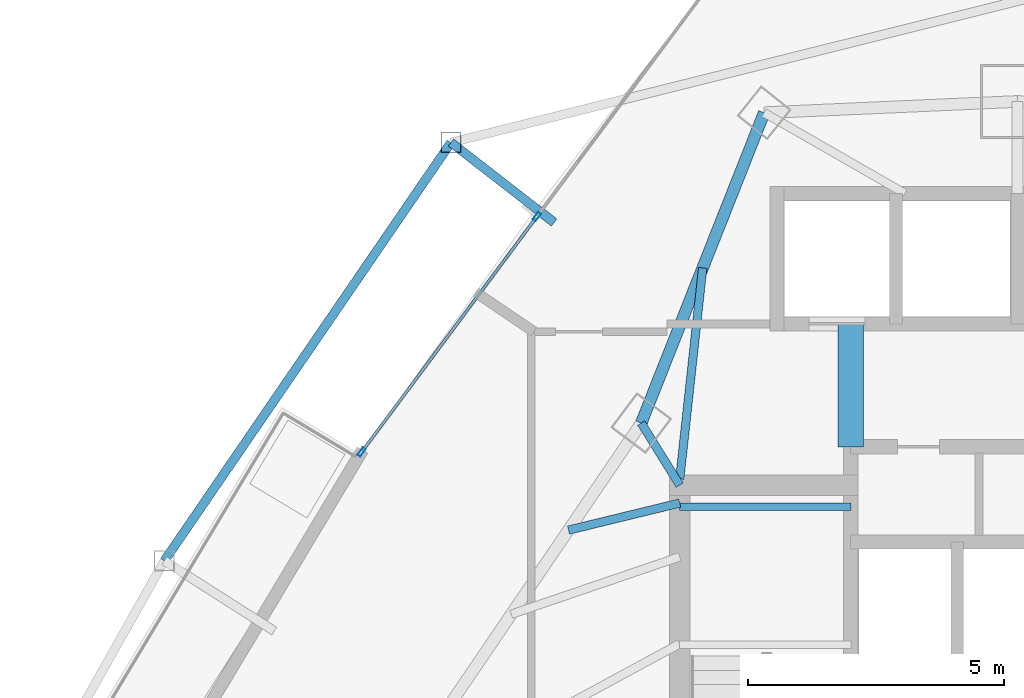
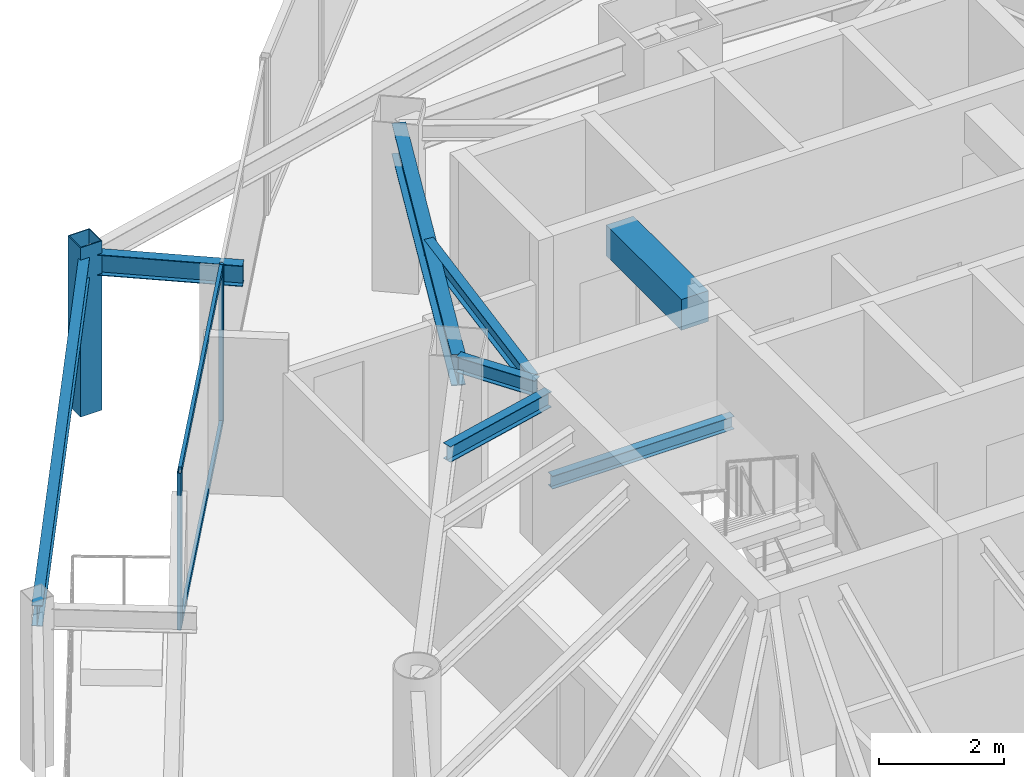
# One storey, part 20 of 33: 8 beams, 5 members, 1 element without a shape of its own.
"""IFC4 building model written with IfcOpenShell, lengths in metres."""

from ifc_helpers import new_model, si_unit, direction, frame, origin, origin_2d, place, context, subcontext, project, spatial, rectangle, hollow_rectangle, i_section, extrude, material, layer, layer_set, material_profile, profile_set, type_object, element, aggregate, save


model = new_model("IFC4")

# Units and contexts
model_context = context("Model", 3, precision=1e-05, world=origin(), true_north=direction((0.0, 1.0)))
body_context = subcontext(model_context, "Body", "Model", "MODEL_VIEW")
ifc_project = project(units=[si_unit("LENGTHUNIT", "METRE"), si_unit("AREAUNIT", "SQUARE_METRE"), si_unit("VOLUMEUNIT", "CUBIC_METRE"), si_unit("PLANEANGLEUNIT", "RADIAN"), si_unit("MASSUNIT", "GRAM", prefix="KILO")], contexts=[model_context])

# Site, building, storey
site_placement = place(None, origin())
site = spatial("IfcSite", under=ifc_project, at=site_placement, CompositionType="ELEMENT")
building_placement = place(site_placement, origin())
building = spatial("IfcBuilding", under=site, at=building_placement, Name="Orvanel Arch Residences", CompositionType="ELEMENT")
storey_placement = place(building_placement, frame((0.0, 0.0, 116.60009765625)))
storey = spatial("IfcBuildingStorey", under=building, at=storey_placement, Name="L32", CompositionType="ELEMENT", Elevation=116.60009765625)

# Beams
ifc_material_1 = material(Name="Structural steel AS/NZS 3679.1 Grade 300 (300 MPa)", Category="steel")
ifc_material_profile_1 = material_profile(ifc_material_1, i_section(OverallWidth=0.14599609375, OverallDepth=0.251953125, WebThickness=0.006103515625, FlangeThickness=0.008544921875, at=origin_2d()), Name="250UB31.4")
ifc_profile_set_1 = profile_set([ifc_material_profile_1], Name="Structural steel AS/NZS 3679.1 Grade 300 (300 MPa)")
beam_type_1 = type_object("IfcBeamType", Name="BJ-250UB", PredefinedType="JOIST", material=ifc_profile_set_1)
beam_1_placement = place(storey_placement, frame((26.39990234375, 33.47998046875, 1.323974609375), z_axis=(1.0, 0.0, 0.0), x_axis=(0.0, 1.0, 0.0)))
element("IfcBeam", 1, at=beam_1_placement, inside=storey, type_object=beam_type_1, Name="L32 ST-1 Half-Landing Support Beam 1.2", PredefinedType="JOIST", context=body_context, shape_type="SweptSolid", body=[
    extrude(i_section(OverallWidth=0.14599609375, OverallDepth=0.251953125, WebThickness=0.006103515625, FlangeThickness=0.008544921875, at=origin_2d()), origin(), (0.0, 0.0, 1.0), 3.35009765625),
])
ifc_material_profile_2 = material_profile(ifc_material_1, i_section(OverallWidth=0.1650390625, OverallDepth=0.303955078125, WebThickness=0.006103515625, FlangeThickness=0.01025390625, at=origin_2d()), Name="310UB40.4")
ifc_profile_set_2 = profile_set([ifc_material_profile_2], Name="Structural steel AS/NZS 3679.1 Grade 300 (300 MPa)")
beam_type_2 = type_object("IfcBeamType", Name="BJ-310UB", PredefinedType="JOIST", material=ifc_profile_set_2)
beam_2_placement = place(storey_placement, frame((26.39990234375, 33.89990234375, 2.907958984375), z_axis=(-0.526843290616, 0.84996243866, 0.0), x_axis=(-0.84996243866, -0.526843290616, 0.0)))
element("IfcBeam", 2, at=beam_2_placement, inside=storey, type_object=beam_type_2, Name="L32 NNW Wing Floor Joist", PredefinedType="JOIST", context=body_context, shape_type="SweptSolid", body=[
    extrude(i_section(OverallWidth=0.1650390625, OverallDepth=0.303955078125, WebThickness=0.006103515625, FlangeThickness=0.01025390625, at=origin_2d()), origin(), (0.0, 0.0, 1.0), 1.42724609375),
])
beam_3_placement = place(storey_placement, frame((26.39990234375, 34.02001953125, 2.907958984375), z_axis=(0.108261441852, 0.99412245735, 0.0), x_axis=(-0.99412245735, 0.108261441852, 0.0)))
element("IfcBeam", 3, at=beam_3_placement, inside=storey, type_object=beam_type_2, Name="L32 NNW2 Wing Floor Joist", PredefinedType="JOIST", context=body_context, shape_type="SweptSolid", body=[
    extrude(i_section(OverallWidth=0.1650390625, OverallDepth=0.303955078125, WebThickness=0.006103515625, FlangeThickness=0.01025390625, at=origin_2d()), origin(), (0.0, 0.0, 1.0), 4.1494140625),
])
beam_4_placement = place(storey_placement, frame((26.39990234375, 33.550048828125, 2.907958984375), z_axis=(-0.971638471014, -0.236471312521, 0.0), x_axis=(0.236471312521, -0.971638471014, 0.0)))
element("IfcBeam", 4, at=beam_4_placement, inside=storey, type_object=beam_type_2, Name="L32 JADD3 Wing Floor Joist", PredefinedType="JOIST", context=body_context, shape_type="SweptSolid", body=[
    extrude(i_section(OverallWidth=0.1650390625, OverallDepth=0.303955078125, WebThickness=0.006103515625, FlangeThickness=0.01025390625, at=origin_2d()), origin(), (0.0, 0.0, 1.0), 2.2373046875),
])
ifc_material_2 = material(Name="Concrete S65 (65 MPa)", Category="concrete")
ifc_material_profile_3 = material_profile(ifc_material_2, rectangle(XDim=0.5, YDim=0.60009765625, at=origin_2d()), Name="RC500x600")
ifc_profile_set_3 = profile_set([ifc_material_profile_3], Name="Concrete S65 (65 MPa)")
beam_type_3 = type_object("IfcBeamType", Name="CB-500x600", PredefinedType="LINTEL", material=ifc_profile_set_3)
beam_5_placement = place(storey_placement, frame((29.739990234375, 34.64990234375, 2.760009765625), z_axis=(0.0, 1.0, 0.0), x_axis=(-1.0, 0.0, 0.0)))
element("IfcBeam", 5, at=beam_5_placement, inside=storey, type_object=beam_type_3, Name="L32 West Core Lobby Coupling Lintel Beam", PredefinedType="LINTEL", context=body_context, shape_type="SweptSolid", body=[
    extrude(rectangle(XDim=0.5, YDim=0.60009765625, at=origin_2d()), origin(), (0.0, 0.0, 1.0), 2.400146484375),
])

# Curtain wall, members
ifc_material_3 = material(Name="Bronze-anodised aluminium AA6063-T6", Category="aluminium")
ifc_layer = layer(ifc_material_3, 0.179931640625)
ifc_layer_set = layer_set([ifc_layer], Name="Bronze-anodised aluminium AA6063-T6")
curtain_wall_type = type_object("IfcCurtainWallType", Name="CW3-MID-SYS", PredefinedType="NOTDEFINED", material=ifc_layer_set)
curtain_wall_placement = place(storey_placement, origin())
curtain_wall = element("IfcCurtainWall", 6, at=curtain_wall_placement, inside=storey, type_object=curtain_wall_type, Name="L32 CW3-MID-SYS Unitised Curtain Wall", PredefinedType="NOTDEFINED")
ifc_material_profile_4 = material_profile(ifc_material_3, hollow_rectangle(XDim=0.070068359375, YDim=0.179931640625, WallThickness=0.00439453125, at=origin_2d()), Name="ALU180x70x4.5")
ifc_profile_set_4 = profile_set([ifc_material_profile_4], Name="Bronze-anodised aluminium AA6063-T6")
member_type_1 = type_object("IfcMemberType", Name="MUL-180x70", PredefinedType="MULLION", material=ifc_profile_set_4)
member_1_placement = place(storey_placement, frame((23.607421875, 39.14599609375, 0.0), z_axis=(0.0, 0.0, 1.0), x_axis=(0.802116413742, -0.59716769739, 0.0)))
member_1 = element("IfcMember", 7, at=member_1_placement, type_object=member_type_1, Name="CW-S3 mullion 2", PredefinedType="MULLION", context=body_context, shape_type="SweptSolid", body=[
    extrude(hollow_rectangle(XDim=0.070068359375, YDim=0.179931640625, WallThickness=0.00439453125, at=origin_2d()), origin(), (0.0, 0.0, 1.0), 3.059814453125),
])
member_2_placement = place(storey_placement, frame((20.182861328125, 34.546142578125, 0.0), z_axis=(0.0, 0.0, 1.0), x_axis=(0.802116413742, -0.59716769739, 0.0)))
member_2 = element("IfcMember", 8, at=member_2_placement, type_object=member_type_1, Name="CW-S3 mullion 3", PredefinedType="MULLION", context=body_context, shape_type="SweptSolid", body=[
    extrude(hollow_rectangle(XDim=0.070068359375, YDim=0.179931640625, WallThickness=0.00439453125, at=origin_2d()), origin(), (0.0, 0.0, 1.0), 3.059814453125),
])

# Beams
ifc_material_profile_5 = material_profile(ifc_material_1, i_section(OverallWidth=0.177978515625, OverallDepth=0.406005859375, WebThickness=0.0078125, FlangeThickness=0.0126953125, at=origin_2d()), Name="410UB59.7")
ifc_profile_set_5 = profile_set([ifc_material_profile_5], Name="Structural steel AS/NZS 3679.1 Grade 300 (300 MPa)")
beam_type_4 = type_object("IfcBeamType", Name="OB-410UB-EXT", PredefinedType="SPANDREL", material=ifc_profile_set_5)
beam_6_placement = place(storey_placement, frame((23.945068359375, 39.032958984375, 2.85693359375), z_axis=(-0.790176277627, 0.612879637675, 0.0), x_axis=(-0.612879637675, -0.790176277627, 0.0)))
element("IfcBeam", 9, at=beam_6_placement, inside=storey, type_object=beam_type_4, Name="L32 Outer Frame Radial Tie Beam 01", PredefinedType="SPANDREL", context=body_context, shape_type="SweptSolid", body=[
    extrude(i_section(OverallWidth=0.177978515625, OverallDepth=0.406005859375, WebThickness=0.0078125, FlangeThickness=0.0126953125, at=origin_2d()), origin(), (0.0, 0.0, 1.0), 2.55029296875),
])
beam_7_placement = place(storey_placement, frame((21.929931640625, 40.595947265625, 2.85693359375), z_axis=(-0.565274592443, -0.824902803449, 0.0), x_axis=(0.824902803449, -0.565274592443, 0.0)))
element("IfcBeam", 10, at=beam_7_placement, inside=storey, type_object=beam_type_4, Name="L32 Outer Perimeter Floor Ring Beam 01", PredefinedType="SPANDREL", context=body_context, shape_type="SweptSolid", body=[
    extrude(i_section(OverallWidth=0.177978515625, OverallDepth=0.406005859375, WebThickness=0.0078125, FlangeThickness=0.0126953125, at=origin_2d()), origin(), (0.0, 0.0, 1.0), 9.910400390625),
])
ifc_material_profile_6 = material_profile(ifc_material_1, i_section(OverallWidth=0.22900390625, OverallDepth=0.612060546875, WebThickness=0.011962890625, FlangeThickness=0.01953125, at=origin_2d()), Name="610UB125")
ifc_profile_set_6 = profile_set([ifc_material_profile_6], Name="Structural steel AS/NZS 3679.1 Grade 300 (300 MPa)")
beam_type_5 = type_object("IfcBeamType", Name="SP-610UB", PredefinedType="SPANDREL", material=ifc_profile_set_6)
beam_8_placement = place(storey_placement, frame((28.050048828125, 41.177978515625, 2.75390625), z_axis=(-0.368233143579, -0.929733484376, 0.0), x_axis=(0.929733484376, -0.368233143579, 0.0)))
element("IfcBeam", 11, at=beam_8_placement, inside=storey, type_object=beam_type_5, Name="L32 Perimeter Spandrel Beam 16", PredefinedType="SPANDREL", context=body_context, shape_type="SweptSolid", body=[
    extrude(i_section(OverallWidth=0.22900390625, OverallDepth=0.612060546875, WebThickness=0.011962890625, FlangeThickness=0.01953125, at=origin_2d()), origin(), (0.0, 0.0, 1.0), 6.523193359375),
])

# Member
ifc_material_4 = material(Name="Structural steel AS/NZS 1163 C450L0 (Grade 450)", Category="steel")
ifc_material_profile_7 = material_profile(ifc_material_4, hollow_rectangle(XDim=0.39990234375, YDim=0.39990234375, WallThickness=0.01611328125, at=origin_2d()), Name="SHS400x400x16")
ifc_profile_set_7 = profile_set([ifc_material_profile_7], Name="Structural steel AS/NZS 1163 C450L0 (Grade 450)")
member_type_2 = type_object("IfcMemberType", Name="ST-400SHS-EXT", PredefinedType="STRUT", material=ifc_profile_set_7)
member_3_placement = place(storey_placement, frame((21.929931640625, 40.595947265625, 0.0), z_axis=(0.0, 0.0, 1.0), x_axis=(1.0, 0.0, 0.0)))
element("IfcMember", 12, at=member_3_placement, inside=storey, type_object=member_type_2, Name="L32 Outer Perimeter Frame Post 01", PredefinedType="STRUT", context=body_context, shape_type="SweptSolid", body=[
    extrude(hollow_rectangle(XDim=0.39990234375, YDim=0.39990234375, WallThickness=0.01611328125, at=origin_2d()), origin(), (0.0, 0.0, 1.0), 3.2998046875),
])

ifc_material_profile_8 = material_profile(ifc_material_3, hollow_rectangle(XDim=0.06005859375, YDim=0.135009765625, WallThickness=0.00390625, at=origin_2d()), Name="ALU135x60x4")
ifc_profile_set_8 = profile_set([ifc_material_profile_8], Name="Bronze-anodised aluminium AA6063-T6")
member_type_3 = type_object("IfcMemberType", Name="TRN-135x60", PredefinedType="USERDEFINED", material=ifc_profile_set_8)
member_4_placement = place(storey_placement, frame((23.586669921875, 39.117919921875, 0.02978515625), z_axis=(-0.597175890933, -0.802110313666, 0.0), x_axis=(0.802110313666, -0.597175890933, 0.0)))
member_4 = element("IfcMember", 13, at=member_4_placement, type_object=member_type_3, Name="CW-S3 transom 2.1", ObjectType="TRANSOM", PredefinedType="USERDEFINED", context=body_context, shape_type="SweptSolid", body=[
    extrude(hollow_rectangle(XDim=0.06005859375, YDim=0.135009765625, WallThickness=0.00390625, at=origin_2d()), origin(), (0.0, 0.0, 1.0), 5.664794921875),
])

member_5_placement = place(storey_placement, frame((23.586669921875, 39.117919921875, 3.02978515625), z_axis=(-0.597175890933, -0.802110313666, 0.0), x_axis=(0.802110313666, -0.597175890933, 0.0)))
member_5 = element("IfcMember", 14, at=member_5_placement, type_object=member_type_3, Name="CW-S3 transom 2.2", ObjectType="TRANSOM", PredefinedType="USERDEFINED", context=body_context, shape_type="SweptSolid", body=[
    extrude(hollow_rectangle(XDim=0.06005859375, YDim=0.135009765625, WallThickness=0.00390625, at=origin_2d()), origin(), (0.0, 0.0, 1.0), 5.664794921875),
])

aggregate(curtain_wall, [member_1, member_2, member_4, member_5])

save(model, "model.ifc")
